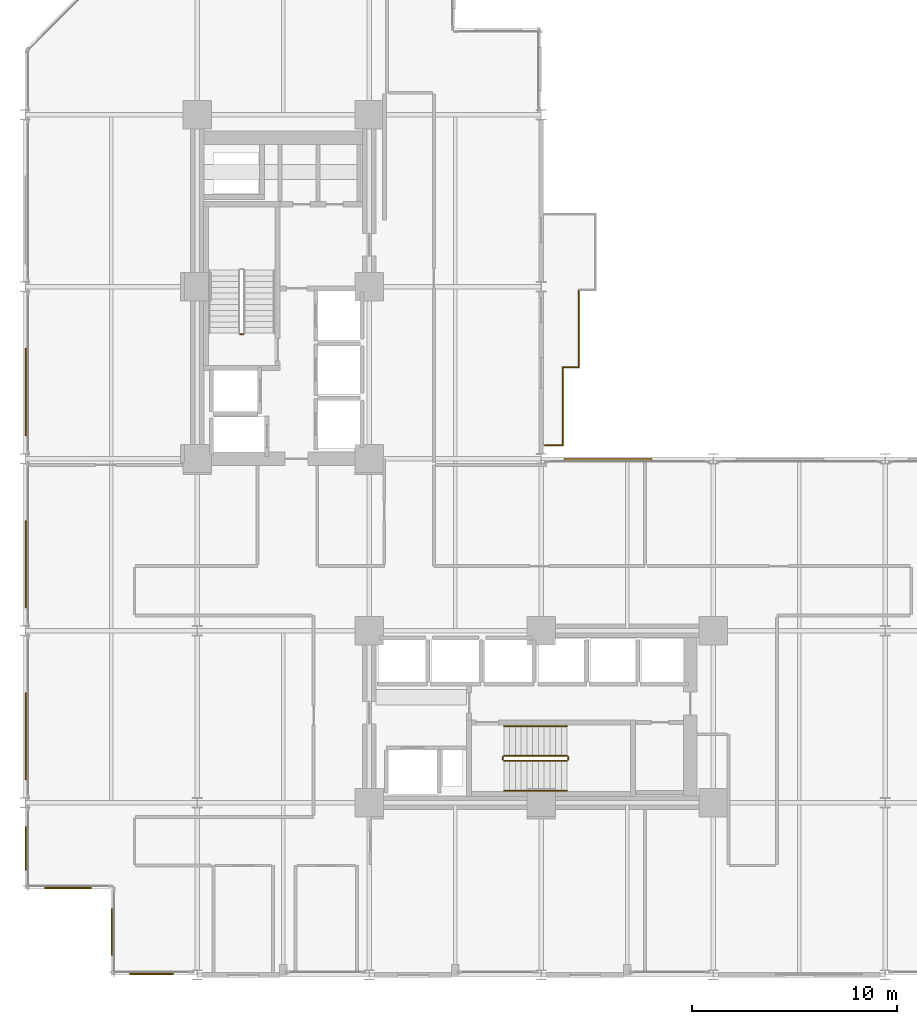
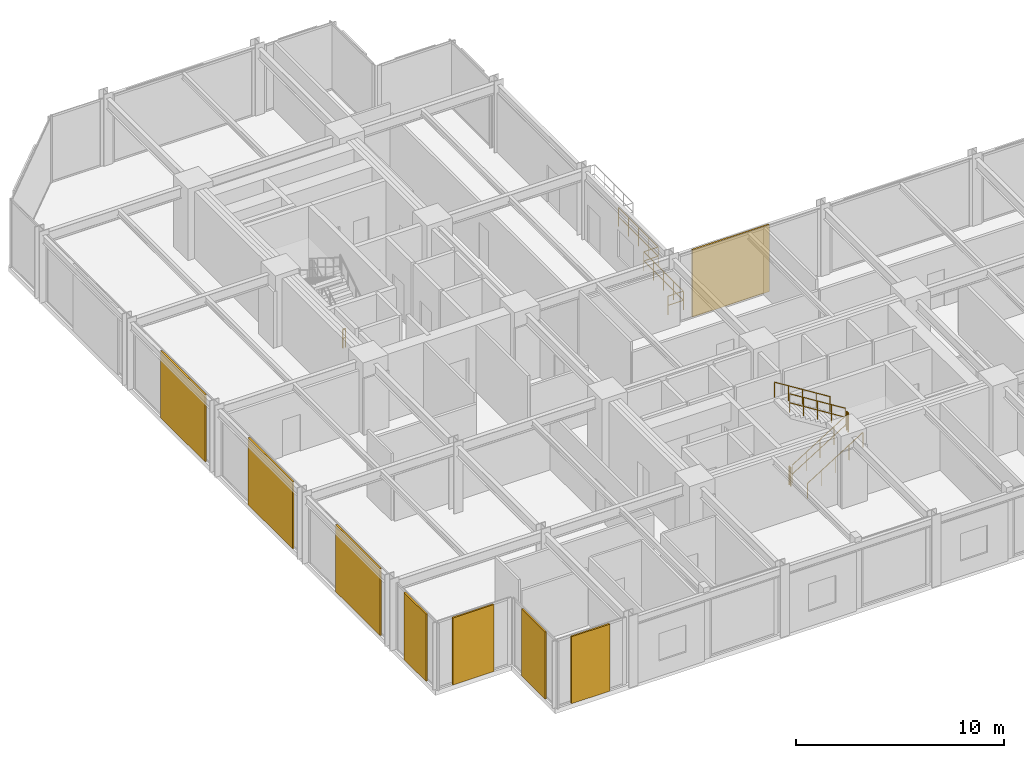
# One storey, part 22 of 24: 11 railings, 8 coverings.
"""IFC4 building model written with IfcOpenShell, lengths in metres."""

from ifc_helpers import new_model, si_unit, direction, frame, origin, origin_2d, place, context, subcontext, project, spatial, rectangle, circle, extrude, material, layer, layer_set, type_object, element, save


model = new_model("IFC4")

# Units and contexts
model_context = context("Model", 3, precision=1e-05, world=origin(), true_north=direction((0.0, 1.0)))
body_context = subcontext(model_context, "Body", "Model", "MODEL_VIEW")
ifc_project = project(units=[si_unit("LENGTHUNIT", "METRE"), si_unit("AREAUNIT", "SQUARE_METRE"), si_unit("VOLUMEUNIT", "CUBIC_METRE"), si_unit("PLANEANGLEUNIT", "RADIAN"), si_unit("MASSUNIT", "GRAM", prefix="KILO")], contexts=[model_context])

# Site, building, storey
site_placement = place(None, origin())
site = spatial("IfcSite", under=ifc_project, at=site_placement, CompositionType="ELEMENT")
building_placement = place(site_placement, origin())
building = spatial("IfcBuilding", under=site, at=building_placement, Name="Nerrivon Quay Data Exchange", CompositionType="ELEMENT")
storey_placement = place(building_placement, frame((0.0, 0.0, 37.39990234375)))
storey = spatial("IfcBuildingStorey", under=building, at=storey_placement, Name="L08", CompositionType="ELEMENT", Elevation=37.39990234375)

# Coverings
ifc_material_1 = material(Name="Architectural terracotta ceramic", Category="masonry")
ifc_layer = layer(ifc_material_1, 0.090087890625)
ifc_layer_set = layer_set([ifc_layer], Name="Architectural terracotta ceramic")
covering_type = type_object("IfcCoveringType", Name="COV-SCR-TERR", PredefinedType="CLADDING", material=ifc_layer_set)
covering_1_placement = place(storey_placement, frame((6.175048828125, 0.044921875, 0.0), z_axis=(0.0, 0.0, 1.0), x_axis=(-1.0, 0.0, 0.0)))
element("IfcCovering", 1, at=covering_1_placement, inside=storey, type_object=covering_type, Name="L08 Perforated Terracotta SOLAR SCREEN Cassette", PredefinedType="CLADDING", context=body_context, shape_type="SweptSolid", body=[
    extrude(rectangle(XDim=2.133056640625, YDim=0.090087890625, at=origin_2d()), origin(), (0.0, 0.0, 1.0), 3.925048828125),
])
for number, where, z_axis, x_axis, name in (
    (2, (4.2451171875, 2.10009765625, 0.0), (0.0, 0.0, 1.0), (0.0, 1.0, 0.0), "L08 Perforated Terracotta SOLAR SCREEN Cassette"),
    (3, (2.10009765625, 4.2451171875, 0.0), (0.0, 0.0, 1.0), (-1.0, 0.0, 0.0), "L08 Perforated Terracotta SOLAR SCREEN Cassette"),
):
    element("IfcCovering", number, at=place(storey_placement, frame(where, z_axis=z_axis, x_axis=x_axis)), inside=storey, type_object=covering_type, Name=name, PredefinedType="CLADDING", context=body_context, shape_type="SweptSolid", body=[
        extrude(rectangle(XDim=2.26806640625, YDim=0.090087890625, at=origin_2d()), origin(), (0.0, 0.0, 1.0), 3.925048828125),
    ])
covering_2_placement = place(storey_placement, frame((0.044921875, 6.175048828125, 0.0), z_axis=(0.0, 0.0, 1.0), x_axis=(0.0, 1.0, 0.0)))
element("IfcCovering", 4, at=covering_2_placement, inside=storey, type_object=covering_type, Name="L08 Perforated Terracotta SOLAR SCREEN Cassette", PredefinedType="CLADDING", context=body_context, shape_type="SweptSolid", body=[
    extrude(rectangle(XDim=2.133056640625, YDim=0.090087890625, at=origin_2d()), origin(), (0.0, 0.0, 1.0), 3.925048828125),
])
for number, where, z_axis, x_axis, name in (
    (5, (0.044921875, 11.652099609375, 0.0), (0.0, 0.0, 1.0), (0.0, 1.0, 0.0), "L08 Perforated Terracotta SOLAR SCREEN Cassette"),
    (6, (0.044921875, 20.052001953125, 0.0), (0.0, 0.0, 1.0), (0.0, 1.0, 0.0), "L08 Perforated Terracotta SOLAR SCREEN Cassette"),
    (7, (0.044921875, 28.451904296875, 0.0), (0.0, 0.0, 1.0), (0.0, 1.0, 0.0), "L08 Perforated Terracotta SOLAR SCREEN Cassette"),
    (8, (28.451904296875, 25.155029296875, 0.0), (0.0, 0.0, 1.0), (1.0, 0.0, 0.0), "L08 Perforated Terracotta SOLAR SCREEN Cassette"),
):
    element("IfcCovering", number, at=place(storey_placement, frame(where, z_axis=z_axis, x_axis=x_axis)), inside=storey, type_object=covering_type, Name=name, PredefinedType="CLADDING", context=body_context, shape_type="SweptSolid", body=[
        extrude(rectangle(XDim=4.26611328125, YDim=0.090087890625, at=origin_2d()), origin(), (0.0, 0.0, 1.0), 3.925048828125),
    ])

# Railings
ifc_material_2 = material(Name="Steel Grade C350L0 (350 MPa)", Category="steel")
railing_type_1 = type_object("IfcRailingType", Name="RAIL-GUARD-GR2", PredefinedType="BALUSTRADE", material=ifc_material_2)
railing_1_placement = place(storey_placement, frame((26.239990234375, 29.659912109375, 0.0)))
element("IfcRailing", 9, at=railing_1_placement, inside=storey, type_object=railing_type_1, Name="L08 Verandah Balcony Guard 1.1 1", PredefinedType="BALUSTRADE", context=body_context, shape_type="SweptSolid", body=[
    extrude(circle(Radius=0.02392578125, at=origin_2d()), frame((0.0, 0.0, 1.09619140625), z_axis=(0.0, -1.0, 0.0), x_axis=(1.0, 0.0, 0.0)), (0.0, 0.0, 1.0), 3.7998046875),
    extrude(circle(Radius=0.02392578125, at=origin_2d()), frame((0.0, 0.0, 0.56005859375), z_axis=(0.0, -1.0, 0.0), x_axis=(1.0, 0.0, 0.0)), (0.0, 0.0, 1.0), 3.7998046875),
    extrude(circle(Radius=0.02099609375, at=origin_2d()), origin(), (0.0, 0.0, 1.0), 1.072021484375),
    extrude(circle(Radius=0.02099609375, at=origin_2d()), frame((0.0, -0.949951171875, 0.0)), (0.0, 0.0, 1.0), 1.072021484375),
    extrude(circle(Radius=0.02099609375, at=origin_2d()), frame((0.0, -1.89990234375, 0.0)), (0.0, 0.0, 1.0), 1.072021484375),
    extrude(circle(Radius=0.02099609375, at=origin_2d()), frame((0.0, -2.849853515625, 0.0)), (0.0, 0.0, 1.0), 1.072021484375),
    extrude(circle(Radius=0.02099609375, at=origin_2d()), frame((0.0, -3.7998046875, 0.0)), (0.0, 0.0, 1.0), 1.072021484375),
])
railing_2_placement = place(storey_placement, frame((26.239990234375, 25.860107421875, 0.0)))
element("IfcRailing", 10, at=railing_2_placement, inside=storey, type_object=railing_type_1, Name="L08 Verandah Balcony Guard 1.2 1", PredefinedType="BALUSTRADE", context=body_context, shape_type="SweptSolid", body=[
    extrude(circle(Radius=0.02392578125, at=origin_2d()), frame((0.0, 0.0, 1.09619140625), z_axis=(-1.0, 0.0, 0.0), x_axis=(0.0, -1.0, 0.0)), (0.0, 0.0, 1.0), 0.860107421875),
    extrude(circle(Radius=0.02392578125, at=origin_2d()), frame((0.0, 0.0, 0.56005859375), z_axis=(-1.0, 0.0, 0.0), x_axis=(0.0, -1.0, 0.0)), (0.0, 0.0, 1.0), 0.860107421875),
    extrude(circle(Radius=0.02099609375, at=origin_2d()), origin(), (0.0, 0.0, 1.0), 1.072021484375),
    extrude(circle(Radius=0.02099609375, at=origin_2d()), frame((-0.860107421875, 0.0, 0.0)), (0.0, 0.0, 1.0), 1.072021484375),
])
railing_3_placement = place(storey_placement, frame((27.0400390625, 33.4599609375, 0.0)))
element("IfcRailing", 11, at=railing_3_placement, inside=storey, type_object=railing_type_1, Name="L08 Verandah Balcony Guard 1.6 1", PredefinedType="BALUSTRADE", context=body_context, shape_type="SweptSolid", body=[
    extrude(circle(Radius=0.02392578125, at=origin_2d()), frame((0.0, 0.0, 1.09619140625), z_axis=(0.0, -1.0, 0.0), x_axis=(1.0, 0.0, 0.0)), (0.0, 0.0, 1.0), 3.800048828125),
    extrude(circle(Radius=0.02392578125, at=origin_2d()), frame((0.0, 0.0, 0.56005859375), z_axis=(0.0, -1.0, 0.0), x_axis=(1.0, 0.0, 0.0)), (0.0, 0.0, 1.0), 3.800048828125),
    extrude(circle(Radius=0.02099609375, at=origin_2d()), origin(), (0.0, 0.0, 1.0), 1.072021484375),
    extrude(circle(Radius=0.02099609375, at=origin_2d()), frame((0.0, -0.949951171875, 0.0)), (0.0, 0.0, 1.0), 1.072021484375),
    extrude(circle(Radius=0.02099609375, at=origin_2d()), frame((0.0, -1.89990234375, 0.0)), (0.0, 0.0, 1.0), 1.072021484375),
    extrude(circle(Radius=0.02099609375, at=origin_2d()), frame((0.0, -2.85009765625, 0.0)), (0.0, 0.0, 1.0), 1.072021484375),
    extrude(circle(Radius=0.02099609375, at=origin_2d()), frame((0.0, -3.800048828125, 0.0)), (0.0, 0.0, 1.0), 1.072021484375),
])
railing_4_placement = place(storey_placement, frame((27.0400390625, 29.659912109375, 0.0)))
element("IfcRailing", 12, at=railing_4_placement, inside=storey, type_object=railing_type_1, Name="L08 Verandah Balcony Guard 1.7 1", PredefinedType="BALUSTRADE", context=body_context, shape_type="SweptSolid", body=[
    extrude(circle(Radius=0.02392578125, at=origin_2d()), frame((0.0, 0.0, 1.09619140625), z_axis=(-1.0, 0.0, 0.0), x_axis=(0.0, -1.0, 0.0)), (0.0, 0.0, 1.0), 0.800048828125),
    extrude(circle(Radius=0.02392578125, at=origin_2d()), frame((0.0, 0.0, 0.56005859375), z_axis=(-1.0, 0.0, 0.0), x_axis=(0.0, -1.0, 0.0)), (0.0, 0.0, 1.0), 0.800048828125),
    extrude(circle(Radius=0.02099609375, at=origin_2d()), origin(), (0.0, 0.0, 1.0), 1.072021484375),
    extrude(circle(Radius=0.02099609375, at=origin_2d()), frame((-0.800048828125, 0.0, 0.0)), (0.0, 0.0, 1.0), 1.072021484375),
])
railing_type_2 = type_object("IfcRailingType", Name="RAIL-HAND-HR1", PredefinedType="HANDRAIL", material=ifc_material_2)
railing_5_placement = place(storey_placement, frame((23.3798828125, 9.0, 0.175048828125)))
element("IfcRailing", 13, at=railing_5_placement, inside=storey, type_object=railing_type_2, Name="L08 ST02 stair handrail 1", PredefinedType="HANDRAIL", context=body_context, shape_type="SweptSolid", body=[
    extrude(circle(Radius=0.02392578125, at=origin_2d()), frame((0.0, 0.0, 0.8759765625), z_axis=(0.847998304005, 0.0, 0.529998940003), x_axis=(0.0, 1.0, 0.0)), (0.0, 0.0, 1.0), 3.632080078125),
    extrude(circle(Radius=0.02099609375, at=origin_2d()), origin(), (0.0, 0.0, 1.0), 0.851806640625),
    extrude(circle(Radius=0.02099609375, at=origin_2d()), frame((0.77001953125, 0.0, 0.481201171875)), (0.0, 0.0, 1.0), 0.851806640625),
    extrude(circle(Radius=0.02099609375, at=origin_2d()), frame((1.5400390625, 0.0, 0.96240234375)), (0.0, 0.0, 1.0), 0.851806640625),
    extrude(circle(Radius=0.02099609375, at=origin_2d()), frame((2.31005859375, 0.0, 1.44384765625)), (0.0, 0.0, 1.0), 0.851806640625),
    extrude(circle(Radius=0.02099609375, at=origin_2d()), frame((3.080078125, 0.0, 1.925048828125)), (0.0, 0.0, 1.0), 0.851806640625),
])
railing_6_placement = place(storey_placement, frame((26.4599609375, 12.14990234375, 2.275146484375)))
element("IfcRailing", 14, at=railing_6_placement, inside=storey, type_object=railing_type_2, Name="L08 ST02 stair handrail 2", PredefinedType="HANDRAIL", context=body_context, shape_type="SweptSolid", body=[
    extrude(circle(Radius=0.02392578125, at=origin_2d()), frame((0.0, 0.0, 0.8759765625), z_axis=(-0.847998304005, 0.0, 0.529998940003), x_axis=(0.0, -1.0, 0.0)), (0.0, 0.0, 1.0), 3.632080078125),
    extrude(circle(Radius=0.02099609375, at=origin_2d()), origin(), (0.0, 0.0, 1.0), 0.851806640625),
    extrude(circle(Radius=0.02099609375, at=origin_2d()), frame((-0.77001953125, 0.0, 0.481201171875)), (0.0, 0.0, 1.0), 0.851806640625),
    extrude(circle(Radius=0.02099609375, at=origin_2d()), frame((-1.5400390625, 0.0, 0.96240234375)), (0.0, 0.0, 1.0), 0.851806640625),
    extrude(circle(Radius=0.02099609375, at=origin_2d()), frame((-2.31005859375, 0.0, 1.44384765625)), (0.0, 0.0, 1.0), 0.851806640625),
    extrude(circle(Radius=0.02099609375, at=origin_2d()), frame((-3.080078125, 0.0, 1.925048828125)), (0.0, 0.0, 1.0), 0.851806640625),
])
railing_type_3 = type_object("IfcRailingType", Name="RAIL-STAIR-GR1", PredefinedType="BALUSTRADE", material=ifc_material_2)
railing_7_placement = place(storey_placement, frame((10.64990234375, 31.280029296875, 0.0)))
element("IfcRailing", 15, at=railing_7_placement, inside=storey, type_object=railing_type_3, Name="L08 ST01 stair guard 4", PredefinedType="BALUSTRADE", context=body_context, shape_type="SweptSolid", body=[
    extrude(circle(Radius=0.02392578125, at=origin_2d()), frame((0.0, 0.0, 1.076171875), z_axis=(-1.0, 0.0, 0.0), x_axis=(0.0, -1.0, 0.0)), (0.0, 0.0, 1.0), 0.14990234375),
    extrude(circle(Radius=0.02392578125, at=origin_2d()), frame((0.0, 0.0, 0.550048828125), z_axis=(-1.0, 0.0, 0.0), x_axis=(0.0, -1.0, 0.0)), (0.0, 0.0, 1.0), 0.14990234375),
    extrude(circle(Radius=0.02099609375, at=origin_2d()), origin(), (0.0, 0.0, 1.0), 1.052001953125),
    extrude(circle(Radius=0.02099609375, at=origin_2d()), frame((-0.14990234375, 0.0, 0.0)), (0.0, 0.0, 1.0), 1.052001953125),
])
railing_8_placement = place(storey_placement, frame((23.3798828125, 10.449951171875, 0.175048828125)))
element("IfcRailing", 16, at=railing_8_placement, inside=storey, type_object=railing_type_3, Name="L08 ST02 stair guard 1", PredefinedType="BALUSTRADE", context=body_context, shape_type="SweptSolid", body=[
    extrude(circle(Radius=0.02392578125, at=origin_2d()), frame((0.0, 0.0, 1.076171875), z_axis=(0.847998304005, 0.0, 0.529998940003), x_axis=(0.0, 1.0, 0.0)), (0.0, 0.0, 1.0), 3.632080078125),
    extrude(circle(Radius=0.02392578125, at=origin_2d()), frame((0.0, 0.0, 0.550048828125), z_axis=(0.847998304005, 0.0, 0.529998940003), x_axis=(0.0, 1.0, 0.0)), (0.0, 0.0, 1.0), 3.632080078125),
    extrude(circle(Radius=0.02099609375, at=origin_2d()), origin(), (0.0, 0.0, 1.0), 1.052001953125),
    extrude(circle(Radius=0.02099609375, at=origin_2d()), frame((0.77001953125, 0.0, 0.481201171875)), (0.0, 0.0, 1.0), 1.052001953125),
    extrude(circle(Radius=0.02099609375, at=origin_2d()), frame((1.5400390625, 0.0, 0.96240234375)), (0.0, 0.0, 1.0), 1.052001953125),
    extrude(circle(Radius=0.02099609375, at=origin_2d()), frame((2.31005859375, 0.0, 1.44384765625)), (0.0, 0.0, 1.0), 1.052001953125),
    extrude(circle(Radius=0.02099609375, at=origin_2d()), frame((3.080078125, 0.0, 1.925048828125)), (0.0, 0.0, 1.0), 1.052001953125),
])
railing_9_placement = place(storey_placement, frame((26.510009765625, 10.5, 2.10009765625)))
element("IfcRailing", 17, at=railing_9_placement, inside=storey, type_object=railing_type_3, Name="L08 ST02 stair guard 2", PredefinedType="BALUSTRADE", context=body_context, shape_type="SweptSolid", body=[
    extrude(circle(Radius=0.02392578125, at=origin_2d()), frame((0.0, 0.0, 1.076171875), z_axis=(0.0, 1.0, 0.0), x_axis=(-1.0, 0.0, 0.0)), (0.0, 0.0, 1.0), 0.14990234375),
    extrude(circle(Radius=0.02392578125, at=origin_2d()), frame((0.0, 0.0, 0.550048828125), z_axis=(0.0, 1.0, 0.0), x_axis=(-1.0, 0.0, 0.0)), (0.0, 0.0, 1.0), 0.14990234375),
    extrude(circle(Radius=0.02099609375, at=origin_2d()), origin(), (0.0, 0.0, 1.0), 1.052001953125),
    extrude(circle(Radius=0.02099609375, at=origin_2d()), frame((0.0, 0.14990234375, 0.0)), (0.0, 0.0, 1.0), 1.052001953125),
])
railing_10_placement = place(storey_placement, frame((26.4599609375, 10.699951171875, 2.275146484375)))
element("IfcRailing", 18, at=railing_10_placement, inside=storey, type_object=railing_type_3, Name="L08 ST02 stair guard 3", PredefinedType="BALUSTRADE", context=body_context, shape_type="SweptSolid", body=[
    extrude(circle(Radius=0.02392578125, at=origin_2d()), frame((0.0, 0.0, 1.076171875), z_axis=(-0.847998304005, 0.0, 0.529998940003), x_axis=(0.0, -1.0, 0.0)), (0.0, 0.0, 1.0), 3.632080078125),
    extrude(circle(Radius=0.02392578125, at=origin_2d()), frame((0.0, 0.0, 0.550048828125), z_axis=(-0.847998304005, 0.0, 0.529998940003), x_axis=(0.0, -1.0, 0.0)), (0.0, 0.0, 1.0), 3.632080078125),
    extrude(circle(Radius=0.02099609375, at=origin_2d()), origin(), (0.0, 0.0, 1.0), 1.052001953125),
    extrude(circle(Radius=0.02099609375, at=origin_2d()), frame((-0.77001953125, 0.0, 0.481201171875)), (0.0, 0.0, 1.0), 1.052001953125),
    extrude(circle(Radius=0.02099609375, at=origin_2d()), frame((-1.5400390625, 0.0, 0.96240234375)), (0.0, 0.0, 1.0), 1.052001953125),
    extrude(circle(Radius=0.02099609375, at=origin_2d()), frame((-2.31005859375, 0.0, 1.44384765625)), (0.0, 0.0, 1.0), 1.052001953125),
    extrude(circle(Radius=0.02099609375, at=origin_2d()), frame((-3.080078125, 0.0, 1.925048828125)), (0.0, 0.0, 1.0), 1.052001953125),
])
railing_11_placement = place(storey_placement, frame((23.330078125, 10.5, 0.0)))
element("IfcRailing", 19, at=railing_11_placement, inside=storey, type_object=railing_type_3, Name="L08 ST02 stair guard 4", PredefinedType="BALUSTRADE", context=body_context, shape_type="SweptSolid", body=[
    extrude(circle(Radius=0.02392578125, at=origin_2d()), frame((0.0, 0.0, 1.076171875), z_axis=(0.0, 1.0, 0.0), x_axis=(-1.0, 0.0, 0.0)), (0.0, 0.0, 1.0), 0.14990234375),
    extrude(circle(Radius=0.02392578125, at=origin_2d()), frame((0.0, 0.0, 0.550048828125), z_axis=(0.0, 1.0, 0.0), x_axis=(-1.0, 0.0, 0.0)), (0.0, 0.0, 1.0), 0.14990234375),
    extrude(circle(Radius=0.02099609375, at=origin_2d()), origin(), (0.0, 0.0, 1.0), 1.052001953125),
    extrude(circle(Radius=0.02099609375, at=origin_2d()), frame((0.0, 0.14990234375, 0.0)), (0.0, 0.0, 1.0), 1.052001953125),
])

save(model, "model.ifc")
